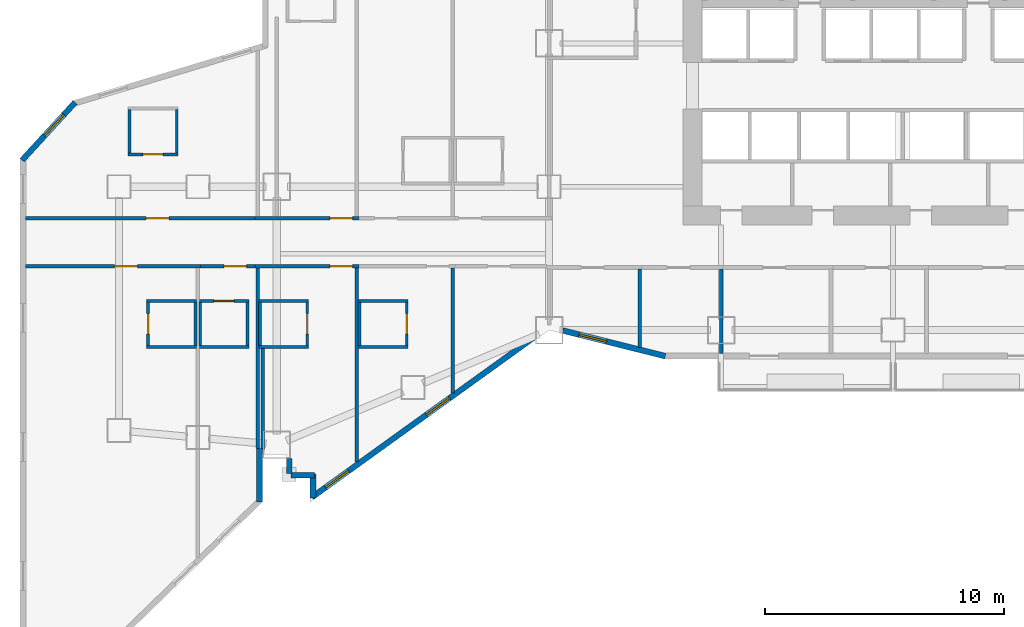
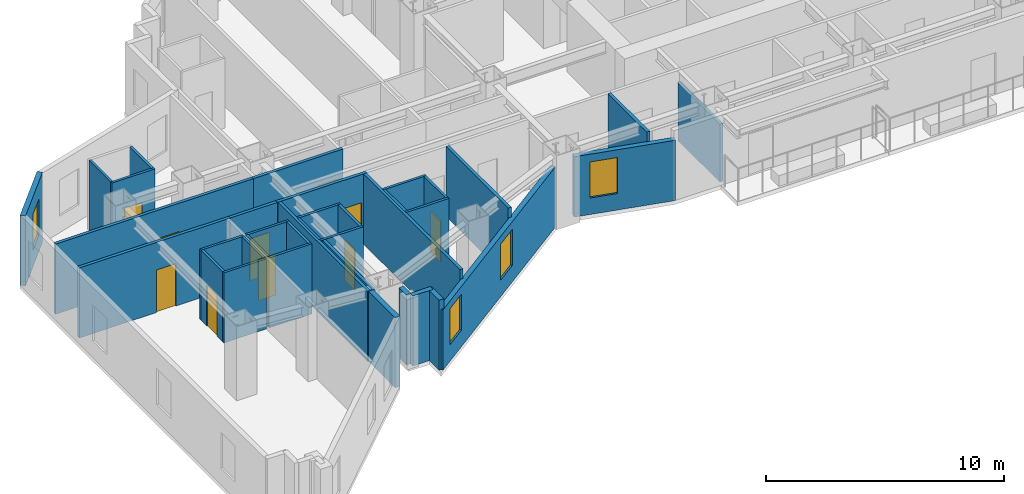
# One storey, part 6 of 18: 37 walls, 10 doors, 4 windows, 14 openings.
"""IFC4 building model written with IfcOpenShell, lengths in metres."""

from ifc_helpers import new_model, si_unit, direction, frame, frame_2d, origin, place, context, subcontext, project, spatial, rectangle, extrude, material, layer, layer_set, type_object, element, fill, save


model = new_model("IFC4")

# Units and contexts
model_context = context("Model", 3, precision=1e-05, world=origin(), true_north=direction((0.0, 1.0)))
body_context = subcontext(model_context, "Body", "Model", "MODEL_VIEW")
ifc_project = project(units=[si_unit("LENGTHUNIT", "METRE"), si_unit("AREAUNIT", "SQUARE_METRE"), si_unit("VOLUMEUNIT", "CUBIC_METRE"), si_unit("PLANEANGLEUNIT", "RADIAN"), si_unit("MASSUNIT", "GRAM", prefix="KILO")], contexts=[model_context])

# Site, building, storey
site_placement = place(None, origin())
site = spatial("IfcSite", under=ifc_project, at=site_placement, CompositionType="ELEMENT")
building_placement = place(site_placement, origin())
building = spatial("IfcBuilding", under=site, at=building_placement, Name="Haolan Belvedere Tower", CompositionType="ELEMENT")
storey_placement = place(building_placement, frame((0.0, 0.0, 51.39990234375)))
storey = spatial("IfcBuildingStorey", under=building, at=storey_placement, Name="L12", CompositionType="ELEMENT", Elevation=51.39990234375)

# Walls
ifc_material_1 = material(Name="Precast concrete C40/50", Category="concrete")
ifc_layer_1 = layer(ifc_material_1, 0.239990234375, Name="Precast concrete C40/50")
ifc_layer_set_1 = layer_set([ifc_layer_1], Name="Precast concrete C40/50")
wall_type_1 = type_object("IfcWallType", Name="WL-EXT-240", PredefinedType="SOLIDWALL", material=ifc_layer_set_1)
wall_1_placement = place(storey_placement, frame((11.8798828125, 14.395751953125, 0.0), z_axis=(0.0, 0.0, 1.0), x_axis=(0.0, 1.0, 0.0)))
element("IfcWall", 1, at=wall_1_placement, inside=storey, type_object=wall_type_1, Name="L12 pale-metal exterior spandrel wall 6.1", PredefinedType="SOLIDWALL", context=body_context, shape_type="SweptSolid", body=[
    extrude(rectangle(XDim=2.244140625, YDim=0.239990234375, at=frame_2d((1.1220703125, 0.0))), origin(), (0.0, 0.0, 1.0), 3.60009765625),
])
wall_2_placement = place(storey_placement, frame((13.1201171875, 16.23291015625, 0.0), z_axis=(0.0, 0.0, 1.0), x_axis=(0.0, -1.0, 0.0)))
element("IfcWall", 2, at=wall_2_placement, inside=storey, type_object=wall_type_1, Name="L12 pale-metal exterior spandrel wall 8.1", PredefinedType="SOLIDWALL", context=body_context, shape_type="SweptSolid", body=[
    extrude(rectangle(XDim=0.6279296875, YDim=0.239990234375, at=frame_2d((0.31396484375, 0.0))), origin(), (0.0, 0.0, 1.0), 3.60009765625),
])
wall_3_placement = place(storey_placement, frame((13.205078125, 15.52001953125, 0.0), z_axis=(0.0, 0.0, 1.0), x_axis=(1.0, 0.0, 0.0)))
element("IfcWall", 3, at=wall_3_placement, inside=storey, type_object=wall_type_1, Name="L12 pale-metal exterior spandrel wall 9.1", PredefinedType="SOLIDWALL", context=body_context, shape_type="SweptSolid", body=[
    extrude(rectangle(XDim=0.969970703125, YDim=0.239990234375, at=frame_2d((0.48486328125, 0.0))), origin(), (0.0, 0.0, 1.0), 3.60009765625),
])
wall_4_placement = place(storey_placement, frame((14.1201171875, 15.574951171875, 0.0), z_axis=(0.0, 0.0, 1.0), x_axis=(0.0, -1.0, 0.0)))
element("IfcWall", 4, at=wall_4_placement, inside=storey, type_object=wall_type_1, Name="L12 pale-metal exterior spandrel wall 10.1", PredefinedType="SOLIDWALL", context=body_context, shape_type="SweptSolid", body=[
    extrude(rectangle(XDim=0.99560546875, YDim=0.239990234375, at=frame_2d((0.497802734375, 0.0))), origin(), (0.0, 0.0, 1.0), 3.60009765625),
])

# Wall, openings, windows
wall_5_placement = place(storey_placement, frame((14.075439453125, 14.602294921875, 0.0), z_axis=(0.0, 0.0, 1.0), x_axis=(0.811543176492, 0.58429245476, 0.0)))
wall_5 = element("IfcWall", 5, at=wall_5_placement, inside=storey, type_object=wall_type_1, Name="L12 pale-metal exterior spandrel wall 11.1", PredefinedType="SOLIDWALL", context=body_context, shape_type="SweptSolid", body=[
    extrude(rectangle(XDim=11.53076171875, YDim=0.239990234375, at=frame_2d((5.765380859375, 0.0))), origin(), (0.0, 0.0, 1.0), 3.09716796875),
])
opening_1_placement = place(wall_5_placement, frame((0.699951171875, 0.0, 0.85009765625)))
opening_1 = element("IfcOpeningElement", 6, at=opening_1_placement, cuts=wall_5, Name="Opening W-01", PredefinedType="OPENING", context=body_context, shape_type="SweptSolid", body=[
    extrude(rectangle(XDim=1.199951171875, YDim=1.85009765625, at=frame_2d((0.60009765625, 0.925048828125))), frame((0.0, 0.1298828125, 0.0), z_axis=(0.0, -1.0, 0.0), x_axis=(1.0, 0.0, 0.0)), (0.0, 0.0, 1.0), 0.260009765625),
])
opening_2_placement = place(wall_5_placement, frame((5.904052734375, 0.0, 0.85009765625)))
opening_2 = element("IfcOpeningElement", 7, at=opening_2_placement, cuts=wall_5, Name="Opening W-01", PredefinedType="OPENING", context=body_context, shape_type="SweptSolid", body=[
    extrude(rectangle(XDim=1.199951171875, YDim=1.85009765625, at=frame_2d((0.60009765625, 0.925048828125))), frame((0.0, 0.1298828125, 0.0), z_axis=(0.0, -1.0, 0.0), x_axis=(1.0, 0.0, 0.0)), (0.0, 0.0, 1.0), 0.260009765625),
])
ifc_material_2 = material(Name="Anodised aluminium 6063-T6 and Low-E glass", Category="aluminium")
window_type = type_object("IfcWindowType", Name="WN-DECO-Z1", PartitioningType="SINGLE_PANEL", PredefinedType="WINDOW", material=ifc_material_2)
window_1_placement = place(opening_1_placement, origin())
window_1 = element("IfcWindow", 8, at=window_1_placement, inside=storey, type_object=window_type, Name="L12 Art Deco chevron window 1", OverallHeight=1.85009765625, OverallWidth=1.199951171875, PartitioningType="SINGLE_PANEL", PredefinedType="WINDOW", context=body_context, shape_type="SweptSolid", body=[
    extrude(rectangle(XDim=1.199951171875, YDim=1.85009765625, at=frame_2d((0.60009765625, 0.925048828125))), frame((0.0, 0.030029296875, 0.0), z_axis=(0.0, -1.0, 0.0), x_axis=(1.0, 0.0, 0.0)), (0.0, 0.0, 1.0), 0.06005859375),
])
fill(opening_1, window_1)
window_2_placement = place(opening_2_placement, origin())
window_2 = element("IfcWindow", 9, at=window_2_placement, inside=storey, type_object=window_type, Name="L12 Art Deco chevron window 2", OverallHeight=1.85009765625, OverallWidth=1.199951171875, PartitioningType="SINGLE_PANEL", PredefinedType="WINDOW", context=body_context, shape_type="SweptSolid", body=[
    extrude(rectangle(XDim=1.199951171875, YDim=1.85009765625, at=frame_2d((0.60009765625, 0.925048828125))), frame((0.0, 0.030029296875, 0.0), z_axis=(0.0, -1.0, 0.0), x_axis=(1.0, 0.0, 0.0)), (0.0, 0.0, 1.0), 0.06005859375),
])
fill(opening_2, window_2)

# Wall, opening, window
wall_6_placement = place(storey_placement, frame((24.56689453125, 21.581787109375, 0.0), z_axis=(0.0, 0.0, 1.0), x_axis=(0.970148978127, -0.24250971164, 0.0)))
wall_6 = element("IfcWall", 10, at=wall_6_placement, inside=storey, type_object=wall_type_1, Name="L12 pale-metal exterior spandrel wall 12.1", PredefinedType="SOLIDWALL", context=body_context, shape_type="SweptSolid", body=[
    extrude(rectangle(XDim=4.43359375, YDim=0.239990234375, at=frame_2d((2.216796875, 0.0))), origin(), (0.0, 0.0, 1.0), 3.09716796875),
])
opening_3_placement = place(wall_6_placement, frame((0.699951171875, 0.0, 0.85009765625)))
opening_3 = element("IfcOpeningElement", 11, at=opening_3_placement, cuts=wall_6, Name="Opening W-01", PredefinedType="OPENING", context=body_context, shape_type="SweptSolid", body=[
    extrude(rectangle(XDim=1.199951171875, YDim=1.85009765625, at=frame_2d((0.60009765625, 0.925048828125))), frame((0.0, 0.1298828125, 0.0), z_axis=(0.0, -1.0, 0.0), x_axis=(1.0, 0.0, 0.0)), (0.0, 0.0, 1.0), 0.260009765625),
])
window_3_placement = place(opening_3_placement, origin())
window_3 = element("IfcWindow", 12, at=window_3_placement, inside=storey, type_object=window_type, Name="L12 Art Deco chevron window 1", OverallHeight=1.85009765625, OverallWidth=1.199951171875, PartitioningType="SINGLE_PANEL", PredefinedType="WINDOW", context=body_context, shape_type="SweptSolid", body=[
    extrude(rectangle(XDim=1.199951171875, YDim=1.85009765625, at=frame_2d((0.60009765625, 0.925048828125))), frame((0.0, 0.030029296875, 0.0), z_axis=(0.0, -1.0, 0.0), x_axis=(1.0, 0.0, 0.0)), (0.0, 0.0, 1.0), 0.06005859375),
])
fill(opening_3, window_3)

wall_7_placement = place(storey_placement, frame((4.163330078125, 31.13525390625, 0.0), z_axis=(0.0, 0.0, 1.0), x_axis=(-0.675717899837, -0.737160308101, 0.0)))
wall_7 = element("IfcWall", 13, at=wall_7_placement, inside=storey, type_object=wall_type_1, Name="L12 pale-metal exterior spandrel wall 58.1", PredefinedType="SOLIDWALL", context=body_context, shape_type="SweptSolid", body=[
    extrude(rectangle(XDim=3.2861328125, YDim=0.239990234375, at=frame_2d((1.64306640625, 0.0))), origin(), (0.0, 0.0, 1.0), 3.60009765625),
])
opening_4_placement = place(wall_7_placement, frame((0.699951171875, 0.0, 0.85009765625)))
opening_4 = element("IfcOpeningElement", 14, at=opening_4_placement, cuts=wall_7, Name="Opening W-01", PredefinedType="OPENING", context=body_context, shape_type="SweptSolid", body=[
    extrude(rectangle(XDim=1.199951171875, YDim=1.85009765625, at=frame_2d((0.60009765625, 0.925048828125))), frame((0.0, 0.1298828125, 0.0), z_axis=(0.0, -1.0, 0.0), x_axis=(1.0, 0.0, 0.0)), (0.0, 0.0, 1.0), 0.260009765625),
])
window_4_placement = place(opening_4_placement, origin())
window_4 = element("IfcWindow", 15, at=window_4_placement, inside=storey, type_object=window_type, Name="L12 Art Deco chevron window 1", OverallHeight=1.85009765625, OverallWidth=1.199951171875, PartitioningType="SINGLE_PANEL", PredefinedType="WINDOW", context=body_context, shape_type="SweptSolid", body=[
    extrude(rectangle(XDim=1.199951171875, YDim=1.85009765625, at=frame_2d((0.60009765625, 0.925048828125))), frame((0.0, 0.030029296875, 0.0), z_axis=(0.0, -1.0, 0.0), x_axis=(1.0, 0.0, 0.0)), (0.0, 0.0, 1.0), 0.06005859375),
])
fill(opening_4, window_4)

# Walls
ifc_material_3 = material(Name="Double gypsum acoustic stud partition", Category="masonry")
ifc_layer_2 = layer(ifc_material_3, 0.14990234375, Name="Double gypsum acoustic stud partition")
ifc_layer_set_2 = layer_set([ifc_layer_2], Name="Double gypsum acoustic stud partition")
wall_type_2 = type_object("IfcWallType", Name="WL-PART-150", PredefinedType="PARTITIONING", material=ifc_layer_set_2)
wall_8_placement = place(storey_placement, frame((27.800048828125, 20.882080078125, 0.0), z_axis=(0.0, 0.0, 1.0), x_axis=(0.0, 1.0, 0.0)))
element("IfcWall", 16, at=wall_8_placement, inside=storey, type_object=wall_type_2, Name="L12 interior partition IW-L12-KS1-E", PredefinedType="PARTITIONING", context=body_context, shape_type="SweptSolid", body=[
    extrude(rectangle(XDim=3.27783203125, YDim=0.14990234375, at=frame_2d((1.638916015625, 0.0))), origin(), (0.0, 0.0, 1.0), 3.60009765625),
])
wall_9_placement = place(storey_placement, frame((31.199951171875, 20.625, 0.0), z_axis=(0.0, 0.0, 1.0), x_axis=(0.0, 1.0, 0.0)))
element("IfcWall", 17, at=wall_9_placement, inside=storey, type_object=wall_type_2, Name="L12 interior partition IW-L12-KS2-E", PredefinedType="PARTITIONING", context=body_context, shape_type="SweptSolid", body=[
    extrude(rectangle(XDim=3.534912109375, YDim=0.14990234375, at=frame_2d((1.767578125, 0.0))), origin(), (0.0, 0.0, 1.0), 2.985107421875),
])

# Wall, opening, door
wall_10_placement = place(storey_placement, frame((11.699951171875, 26.280029296875, 0.0), z_axis=(0.0, 0.0, 1.0), x_axis=(1.0, 0.0, 0.0)))
wall_10 = element("IfcWall", 18, at=wall_10_placement, inside=storey, type_object=wall_type_2, Name="L12 interior partition IW-L12-T2N1-S", PredefinedType="PARTITIONING", context=body_context, shape_type="SweptSolid", body=[
    extrude(rectangle(XDim=4.35009765625, YDim=0.14990234375, at=frame_2d((2.175048828125, 0.0))), origin(), (0.0, 0.0, 1.0), 3.60009765625),
])
opening_5_placement = place(wall_10_placement, frame((3.1298828125, 0.0, 0.0)))
opening_5 = element("IfcOpeningElement", 19, at=opening_5_placement, cuts=wall_10, Name="Opening ID-02", PredefinedType="OPENING", context=body_context, shape_type="SweptSolid", body=[
    extrude(rectangle(XDim=0.949951171875, YDim=2.14990234375, at=frame_2d((0.47509765625, 1.074951171875))), frame((0.0, 0.0849609375, 0.0), z_axis=(0.0, -1.0, 0.0), x_axis=(1.0, 0.0, 0.0)), (0.0, 0.0, 1.0), 0.169921875),
])
ifc_material_4 = material(Name="Acoustic oak veneer fire-rated timber", Category="wood")
door_type_1 = type_object("IfcDoorType", Name="DR-GUEST-950", OperationType="NOTDEFINED", PredefinedType="DOOR", material=ifc_material_4)
door_1_placement = place(opening_5_placement, origin())
door_1 = element("IfcDoor", 20, at=door_1_placement, inside=storey, type_object=door_type_1, Name="L12 door ID-L12-T2N1-ENT", OperationType="SINGLE_SWING_LEFT", OverallHeight=2.14990234375, OverallWidth=0.949951171875, PredefinedType="DOOR", context=body_context, shape_type="SweptSolid", body=[
    extrude(rectangle(XDim=0.949951171875, YDim=2.14990234375, at=frame_2d((0.47509765625, 1.074951171875))), frame((0.0, 0.02490234375, 0.0), z_axis=(0.0, -1.0, 0.0), x_axis=(1.0, 0.0, 0.0)), (0.0, 0.0, 1.0), 0.050048828125),
])
fill(opening_5, door_1)

wall_11_placement = place(storey_placement, frame((11.699951171875, 24.27001953125, 0.0), z_axis=(0.0, 0.0, 1.0), x_axis=(1.0, 0.0, 0.0)))
wall_11 = element("IfcWall", 21, at=wall_11_placement, inside=storey, type_object=wall_type_2, Name="L12 interior partition IW-L12-T2S1-N", PredefinedType="PARTITIONING", context=body_context, shape_type="SweptSolid", body=[
    extrude(rectangle(XDim=4.35009765625, YDim=0.14990234375, at=frame_2d((2.175048828125, 0.0))), origin(), (0.0, 0.0, 1.0), 3.60009765625),
])
opening_6_placement = place(wall_11_placement, frame((4.079833984375, 0.0, 0.0), z_axis=(0.0, 0.0, 1.0), x_axis=(-1.0, 0.0, 0.0)))
opening_6 = element("IfcOpeningElement", 22, at=opening_6_placement, cuts=wall_11, Name="Opening ID-02", PredefinedType="OPENING", context=body_context, shape_type="SweptSolid", body=[
    extrude(rectangle(XDim=0.949951171875, YDim=2.14990234375, at=frame_2d((0.47509765625, 1.074951171875))), frame((0.0, 0.0849609375, 0.0), z_axis=(0.0, -1.0, 0.0), x_axis=(1.0, 0.0, 0.0)), (0.0, 0.0, 1.0), 0.169921875),
])
door_2_placement = place(opening_6_placement, origin())
door_2 = element("IfcDoor", 23, at=door_2_placement, inside=storey, type_object=door_type_1, Name="L12 door ID-L12-T2S1-ENT", OperationType="SINGLE_SWING_RIGHT", OverallHeight=2.14990234375, OverallWidth=0.949951171875, PredefinedType="DOOR", context=body_context, shape_type="SweptSolid", body=[
    extrude(rectangle(XDim=0.949951171875, YDim=2.14990234375, at=frame_2d((0.47509765625, 1.074951171875))), frame((0.0, 0.02490234375, 0.0), z_axis=(0.0, -1.0, 0.0), x_axis=(1.0, 0.0, 0.0)), (0.0, 0.0, 1.0), 0.050048828125),
])
fill(opening_6, door_2)

# Walls
wall_12_placement = place(storey_placement, frame((11.800048828125, 16.64208984375, 0.0), z_axis=(0.0, 0.0, 1.0), x_axis=(0.0, 1.0, 0.0)))
element("IfcWall", 24, at=wall_12_placement, inside=storey, type_object=wall_type_2, Name="L12 interior partition IW-L12-T2S1-W", PredefinedType="PARTITIONING", context=body_context, shape_type="SweptSolid", body=[
    extrude(rectangle(XDim=7.56787109375, YDim=0.14990234375, at=frame_2d((3.783935546875, 0.0))), origin(), (0.0, 0.0, 1.0), 3.60009765625),
])
wall_13_placement = place(storey_placement, frame((15.949951171875, 16.081298828125, 0.0), z_axis=(0.0, 0.0, 1.0), x_axis=(0.0, 1.0, 0.0)))
element("IfcWall", 25, at=wall_13_placement, inside=storey, type_object=wall_type_2, Name="L12 interior partition IW-L12-T2S1-E", PredefinedType="PARTITIONING", context=body_context, shape_type="SweptSolid", body=[
    extrude(rectangle(XDim=8.128662109375, YDim=0.14990234375, at=frame_2d((4.064453125, 0.0))), origin(), (0.0, 0.0, 1.0), 3.60009765625),
])
wall_14_placement = place(storey_placement, frame((19.969970703125, 18.9755859375, 0.0), z_axis=(0.0, 0.0, 1.0), x_axis=(0.0, 1.0, 0.0)))
element("IfcWall", 26, at=wall_14_placement, inside=storey, type_object=wall_type_2, Name="L12 interior partition IW-L12-T2S2-E", PredefinedType="PARTITIONING", context=body_context, shape_type="SweptSolid", body=[
    extrude(rectangle(XDim=5.234375, YDim=0.14990234375, at=frame_2d((2.6171875, 0.0))), origin(), (0.0, 0.0, 1.0), 3.60009765625),
])

# Wall, opening, door
wall_15_placement = place(storey_placement, frame((2.0849609375, 24.27001953125, 0.0), z_axis=(0.0, 0.0, 1.0), x_axis=(1.0, 0.0, 0.0)))
wall_15 = element("IfcWall", 27, at=wall_15_placement, inside=storey, type_object=wall_type_2, Name="L12 interior partition IW-L12-T1S1-N", PredefinedType="PARTITIONING", context=body_context, shape_type="SweptSolid", body=[
    extrude(rectangle(XDim=7.31494140625, YDim=0.14990234375, at=frame_2d((3.657470703125, 0.0))), origin(), (0.0, 0.0, 1.0), 3.60009765625),
])
opening_7_placement = place(wall_15_placement, frame((4.68359375, 0.0, 0.0), z_axis=(0.0, 0.0, 1.0), x_axis=(-1.0, 0.0, 0.0)))
opening_7 = element("IfcOpeningElement", 28, at=opening_7_placement, cuts=wall_15, Name="Opening ID-01", PredefinedType="OPENING", context=body_context, shape_type="SweptSolid", body=[
    extrude(rectangle(XDim=0.949951171875, YDim=2.179931640625, at=frame_2d((0.47509765625, 1.08984375))), frame((0.0, 0.0849609375, 0.0), z_axis=(0.0, -1.0, 0.0), x_axis=(1.0, 0.0, 0.0)), (0.0, 0.0, 1.0), 0.169921875),
])
ifc_material_5 = material(Name="Acoustic walnut veneer fire-rated timber", Category="wood")
door_type_2 = type_object("IfcDoorType", Name="DR-SUITE-950", OperationType="NOTDEFINED", PredefinedType="DOOR", material=ifc_material_5)
door_3_placement = place(opening_7_placement, origin())
door_3 = element("IfcDoor", 29, at=door_3_placement, inside=storey, type_object=door_type_2, Name="L12 door ID-L12-T1S1-ENT", OperationType="SINGLE_SWING_LEFT", OverallHeight=2.179931640625, OverallWidth=0.949951171875, PredefinedType="DOOR", context=body_context, shape_type="SweptSolid", body=[
    extrude(rectangle(XDim=0.949951171875, YDim=2.179931640625, at=frame_2d((0.47509765625, 1.08984375))), frame((0.0, 0.02490234375, 0.0), z_axis=(0.0, -1.0, 0.0), x_axis=(1.0, 0.0, 0.0)), (0.0, 0.0, 1.0), 0.050048828125),
])
fill(opening_7, door_3)

wall_16_placement = place(storey_placement, frame((9.402099609375, 24.27001953125, 0.0), z_axis=(0.0, 0.0, 1.0), x_axis=(1.0, 0.0, 0.0)))
wall_16 = element("IfcWall", 30, at=wall_16_placement, inside=storey, type_object=wall_type_2, Name="L12 interior partition IW-L12-T1S2-N", PredefinedType="PARTITIONING", context=body_context, shape_type="SweptSolid", body=[
    extrude(rectangle(XDim=2.2958984375, YDim=0.14990234375, at=frame_2d((1.14794921875, 0.0))), origin(), (0.0, 0.0, 1.0), 3.60009765625),
])
opening_8_placement = place(wall_16_placement, frame((1.93408203125, 0.0, 0.0), z_axis=(0.0, 0.0, 1.0), x_axis=(-1.0, 0.0, 0.0)))
opening_8 = element("IfcOpeningElement", 31, at=opening_8_placement, cuts=wall_16, Name="Opening ID-02", PredefinedType="OPENING", context=body_context, shape_type="SweptSolid", body=[
    extrude(rectangle(XDim=0.949951171875, YDim=2.14990234375, at=frame_2d((0.47509765625, 1.074951171875))), frame((0.0, 0.0849609375, 0.0), z_axis=(0.0, -1.0, 0.0), x_axis=(1.0, 0.0, 0.0)), (0.0, 0.0, 1.0), 0.169921875),
])
door_4_placement = place(opening_8_placement, origin())
door_4 = element("IfcDoor", 32, at=door_4_placement, inside=storey, type_object=door_type_1, Name="L12 door ID-L12-T1S2-ENT", OperationType="SINGLE_SWING_RIGHT", OverallHeight=2.14990234375, OverallWidth=0.949951171875, PredefinedType="DOOR", context=body_context, shape_type="SweptSolid", body=[
    extrude(rectangle(XDim=0.949951171875, YDim=2.14990234375, at=frame_2d((0.47509765625, 1.074951171875))), frame((0.0, 0.02490234375, 0.0), z_axis=(0.0, -1.0, 0.0), x_axis=(1.0, 0.0, 0.0)), (0.0, 0.0, 1.0), 0.050048828125),
])
fill(opening_8, door_4)

# Wall
wall_17_placement = place(storey_placement, frame((12.02001953125, 16.612060546875, 0.0), z_axis=(0.0, 0.0, 1.0), x_axis=(0.0, 1.0, 0.0)))
element("IfcWall", 33, at=wall_17_placement, inside=storey, type_object=wall_type_2, Name="L12 interior partition IW-L12-T1S2-E", PredefinedType="PARTITIONING", context=body_context, shape_type="SweptSolid", body=[
    extrude(rectangle(XDim=4.242919921875, YDim=0.14990234375, at=frame_2d((2.12158203125, 0.0))), origin(), (0.0, 0.0, 1.0), 3.60009765625),
])

# Wall, opening, door
wall_18_placement = place(storey_placement, frame((2.0849609375, 26.280029296875, 0.0), z_axis=(0.0, 0.0, 1.0), x_axis=(1.0, 0.0, 0.0)))
wall_18 = element("IfcWall", 34, at=wall_18_placement, inside=storey, type_object=wall_type_2, Name="L12 interior partition IW-L12-T1N1-S", PredefinedType="PARTITIONING", context=body_context, shape_type="SweptSolid", body=[
    extrude(rectangle(XDim=9.613037109375, YDim=0.14990234375, at=frame_2d((4.806640625, 0.0))), origin(), (0.0, 0.0, 1.0), 3.60009765625),
])
opening_9_placement = place(wall_18_placement, frame((5.0478515625, 0.0, 0.0)))
opening_9 = element("IfcOpeningElement", 35, at=opening_9_placement, cuts=wall_18, Name="Opening ID-02", PredefinedType="OPENING", context=body_context, shape_type="SweptSolid", body=[
    extrude(rectangle(XDim=0.949951171875, YDim=2.14990234375, at=frame_2d((0.47509765625, 1.074951171875))), frame((0.0, 0.0849609375, 0.0), z_axis=(0.0, -1.0, 0.0), x_axis=(1.0, 0.0, 0.0)), (0.0, 0.0, 1.0), 0.169921875),
])
door_5_placement = place(opening_9_placement, origin())
door_5 = element("IfcDoor", 36, at=door_5_placement, inside=storey, type_object=door_type_1, Name="L12 door ID-L12-T1N1-ENT", OperationType="SINGLE_SWING_LEFT", OverallHeight=2.14990234375, OverallWidth=0.949951171875, PredefinedType="DOOR", context=body_context, shape_type="SweptSolid", body=[
    extrude(rectangle(XDim=0.949951171875, YDim=2.14990234375, at=frame_2d((0.47509765625, 1.074951171875))), frame((0.0, 0.02490234375, 0.0), z_axis=(0.0, -1.0, 0.0), x_axis=(1.0, 0.0, 0.0)), (0.0, 0.0, 1.0), 0.050048828125),
])
fill(opening_9, door_5)

# Walls
ifc_material_6 = material(Name="Moisture-resistant gypsum tile partition", Category="masonry")
ifc_layer_3 = layer(ifc_material_6, 0.1201171875, Name="Moisture-resistant gypsum tile partition")
ifc_layer_set_3 = layer_set([ifc_layer_3], Name="Moisture-resistant gypsum tile partition")
wall_type_3 = type_object("IfcWallType", Name="WL-WET-120", PredefinedType="PARTITIONING", material=ifc_layer_set_3)
for number, where, z_axis, x_axis, name in (
    (37, (11.860107421875, 22.820068359375, 0.0), (0.0, 0.0, 1.0), (1.0, 0.0, 0.0), "L12 interior partition IW-L12-T2S1-BN"),
    (38, (11.860107421875, 20.89990234375, 0.0), (0.0, 0.0, 1.0), (1.0, 0.0, 0.0), "L12 interior partition IW-L12-T2S1-BS"),
):
    element("IfcWall", number, at=place(storey_placement, frame(where, z_axis=z_axis, x_axis=x_axis)), inside=storey, type_object=wall_type_3, Name=name, PredefinedType="PARTITIONING", context=body_context, shape_type="SweptSolid", body=[
        extrude(rectangle(XDim=2.079833984375, YDim=0.1201171875, at=frame_2d((1.0400390625, 0.0))), origin(), (0.0, 0.0, 1.0), 3.60009765625),
    ])
wall_19_placement = place(storey_placement, frame((11.89990234375, 20.945068359375, 0.0), z_axis=(0.0, 0.0, 1.0), x_axis=(0.0, 1.0, 0.0)))
element("IfcWall", 39, at=wall_19_placement, inside=storey, type_object=wall_type_3, Name="L12 interior partition IW-L12-T2S1-BW", PredefinedType="PARTITIONING", context=body_context, shape_type="SweptSolid", body=[
    extrude(rectangle(XDim=1.829833984375, YDim=0.1201171875, at=frame_2d((0.9150390625, 0.0))), origin(), (0.0, 0.0, 1.0), 3.60009765625),
])

# Wall, opening, door
wall_20_placement = place(storey_placement, frame((13.8798828125, 20.945068359375, 0.0), z_axis=(0.0, 0.0, 1.0), x_axis=(0.0, 1.0, 0.0)))
wall_20 = element("IfcWall", 40, at=wall_20_placement, inside=storey, type_object=wall_type_3, Name="L12 interior partition IW-L12-T2S1-BE", PredefinedType="PARTITIONING", context=body_context, shape_type="SweptSolid", body=[
    extrude(rectangle(XDim=1.829833984375, YDim=0.1201171875, at=frame_2d((0.9150390625, 0.0))), origin(), (0.0, 0.0, 1.0), 3.60009765625),
])
opening_10_placement = place(wall_20_placement, frame((0.489990234375, 0.0, 0.0)))
opening_10 = element("IfcOpeningElement", 41, at=opening_10_placement, cuts=wall_20, Name="Opening ID-05", PredefinedType="OPENING", context=body_context, shape_type="SweptSolid", body=[
    extrude(rectangle(XDim=0.85009765625, YDim=2.10009765625, at=frame_2d((0.425048828125, 1.050048828125))), frame((0.0, 0.070068359375, 0.0), z_axis=(0.0, -1.0, 0.0), x_axis=(1.0, 0.0, 0.0)), (0.0, 0.0, 1.0), 0.14013671875),
])
ifc_material_7 = material(Name="Moisture-resistant lacquered timber", Category="wood")
door_type_3 = type_object("IfcDoorType", Name="DR-BATH-850", OperationType="NOTDEFINED", PredefinedType="DOOR", material=ifc_material_7)
door_6_placement = place(opening_10_placement, origin())
door_6 = element("IfcDoor", 42, at=door_6_placement, inside=storey, type_object=door_type_3, Name="L12 door ID-L12-T2S1-BATH", OperationType="SINGLE_SWING_LEFT", OverallHeight=2.10009765625, OverallWidth=0.85009765625, PredefinedType="DOOR", context=body_context, shape_type="SweptSolid", body=[
    extrude(rectangle(XDim=0.85009765625, YDim=2.10009765625, at=frame_2d((0.425048828125, 1.050048828125))), frame((0.0, 0.02490234375, 0.0), z_axis=(0.0, -1.0, 0.0), x_axis=(1.0, 0.0, 0.0)), (0.0, 0.0, 1.0), 0.050048828125),
])
fill(opening_10, door_6)

# Walls
for number, where, z_axis, x_axis, name in (
    (43, (16.010009765625, 22.820068359375, 0.0), (0.0, 0.0, 1.0), (1.0, 0.0, 0.0), "L12 interior partition IW-L12-T2S2-BN"),
    (44, (16.010009765625, 20.89990234375, 0.0), (0.0, 0.0, 1.0), (1.0, 0.0, 0.0), "L12 interior partition IW-L12-T2S2-BS"),
):
    element("IfcWall", number, at=place(storey_placement, frame(where, z_axis=z_axis, x_axis=x_axis)), inside=storey, type_object=wall_type_3, Name=name, PredefinedType="PARTITIONING", context=body_context, shape_type="SweptSolid", body=[
        extrude(rectangle(XDim=2.094970703125, YDim=0.1201171875, at=frame_2d((1.04736328125, 0.0))), origin(), (0.0, 0.0, 1.0), 3.60009765625),
    ])
wall_21_placement = place(storey_placement, frame((16.06494140625, 20.945068359375, 0.0), z_axis=(0.0, 0.0, 1.0), x_axis=(0.0, 1.0, 0.0)))
element("IfcWall", 45, at=wall_21_placement, inside=storey, type_object=wall_type_3, Name="L12 interior partition IW-L12-T2S2-BW", PredefinedType="PARTITIONING", context=body_context, shape_type="SweptSolid", body=[
    extrude(rectangle(XDim=1.829833984375, YDim=0.1201171875, at=frame_2d((0.9150390625, 0.0))), origin(), (0.0, 0.0, 1.0), 3.60009765625),
])

# Wall, opening, door
wall_22_placement = place(storey_placement, frame((18.044921875, 20.945068359375, 0.0), z_axis=(0.0, 0.0, 1.0), x_axis=(0.0, 1.0, 0.0)))
wall_22 = element("IfcWall", 46, at=wall_22_placement, inside=storey, type_object=wall_type_3, Name="L12 interior partition IW-L12-T2S2-BE", PredefinedType="PARTITIONING", context=body_context, shape_type="SweptSolid", body=[
    extrude(rectangle(XDim=1.829833984375, YDim=0.1201171875, at=frame_2d((0.9150390625, 0.0))), origin(), (0.0, 0.0, 1.0), 3.60009765625),
])
opening_11_placement = place(wall_22_placement, frame((0.489990234375, 0.0, 0.0)))
opening_11 = element("IfcOpeningElement", 47, at=opening_11_placement, cuts=wall_22, Name="Opening ID-05", PredefinedType="OPENING", context=body_context, shape_type="SweptSolid", body=[
    extrude(rectangle(XDim=0.85009765625, YDim=2.10009765625, at=frame_2d((0.425048828125, 1.050048828125))), frame((0.0, 0.070068359375, 0.0), z_axis=(0.0, -1.0, 0.0), x_axis=(1.0, 0.0, 0.0)), (0.0, 0.0, 1.0), 0.14013671875),
])
door_7_placement = place(opening_11_placement, origin())
door_7 = element("IfcDoor", 48, at=door_7_placement, inside=storey, type_object=door_type_3, Name="L12 door ID-L12-T2S2-BATH", OperationType="SINGLE_SWING_RIGHT", OverallHeight=2.10009765625, OverallWidth=0.85009765625, PredefinedType="DOOR", context=body_context, shape_type="SweptSolid", body=[
    extrude(rectangle(XDim=0.85009765625, YDim=2.10009765625, at=frame_2d((0.425048828125, 1.050048828125))), frame((0.0, 0.02490234375, 0.0), z_axis=(0.0, -1.0, 0.0), x_axis=(1.0, 0.0, 0.0)), (0.0, 0.0, 1.0), 0.050048828125),
])
fill(opening_11, door_7)

# Walls
for number, where, z_axis, x_axis, name in (
    (49, (7.159912109375, 22.820068359375, 0.0), (0.0, 0.0, 1.0), (1.0, 0.0, 0.0), "L12 interior partition IW-L12-T1S1-BN"),
    (50, (7.159912109375, 20.89990234375, 0.0), (0.0, 0.0, 1.0), (1.0, 0.0, 0.0), "L12 interior partition IW-L12-T1S1-BS"),
):
    element("IfcWall", number, at=place(storey_placement, frame(where, z_axis=z_axis, x_axis=x_axis)), inside=storey, type_object=wall_type_3, Name=name, PredefinedType="PARTITIONING", context=body_context, shape_type="SweptSolid", body=[
        extrude(rectangle(XDim=2.080078125, YDim=0.1201171875, at=frame_2d((1.0400390625, 0.0))), origin(), (0.0, 0.0, 1.0), 3.60009765625),
    ])

# Wall, opening, door
wall_23_placement = place(storey_placement, frame((7.219970703125, 20.945068359375, 0.0), z_axis=(0.0, 0.0, 1.0), x_axis=(0.0, 1.0, 0.0)))
wall_23 = element("IfcWall", 51, at=wall_23_placement, inside=storey, type_object=wall_type_3, Name="L12 interior partition IW-L12-T1S1-BW", PredefinedType="PARTITIONING", context=body_context, shape_type="SweptSolid", body=[
    extrude(rectangle(XDim=1.829833984375, YDim=0.1201171875, at=frame_2d((0.9150390625, 0.0))), origin(), (0.0, 0.0, 1.0), 3.60009765625),
])
opening_12_placement = place(wall_23_placement, frame((1.340087890625, 0.0, 0.0), z_axis=(0.0, 0.0, 1.0), x_axis=(-1.0, 0.0, 0.0)))
opening_12 = element("IfcOpeningElement", 52, at=opening_12_placement, cuts=wall_23, Name="Opening ID-05", PredefinedType="OPENING", context=body_context, shape_type="SweptSolid", body=[
    extrude(rectangle(XDim=0.85009765625, YDim=2.10009765625, at=frame_2d((0.425048828125, 1.050048828125))), frame((0.0, 0.070068359375, 0.0), z_axis=(0.0, -1.0, 0.0), x_axis=(1.0, 0.0, 0.0)), (0.0, 0.0, 1.0), 0.14013671875),
])
door_8_placement = place(opening_12_placement, origin())
door_8 = element("IfcDoor", 53, at=door_8_placement, inside=storey, type_object=door_type_3, Name="L12 door ID-L12-T1S1-BATH", OperationType="SINGLE_SWING_RIGHT", OverallHeight=2.10009765625, OverallWidth=0.85009765625, PredefinedType="DOOR", context=body_context, shape_type="SweptSolid", body=[
    extrude(rectangle(XDim=0.85009765625, YDim=2.10009765625, at=frame_2d((0.425048828125, 1.050048828125))), frame((0.0, 0.02490234375, 0.0), z_axis=(0.0, -1.0, 0.0), x_axis=(1.0, 0.0, 0.0)), (0.0, 0.0, 1.0), 0.050048828125),
])
fill(opening_12, door_8)

# Wall
wall_24_placement = place(storey_placement, frame((9.199951171875, 20.945068359375, 0.0), z_axis=(0.0, 0.0, 1.0), x_axis=(0.0, 1.0, 0.0)))
element("IfcWall", 54, at=wall_24_placement, inside=storey, type_object=wall_type_3, Name="L12 interior partition IW-L12-T1S1-BE", PredefinedType="PARTITIONING", context=body_context, shape_type="SweptSolid", body=[
    extrude(rectangle(XDim=1.829833984375, YDim=0.1201171875, at=frame_2d((0.9150390625, 0.0))), origin(), (0.0, 0.0, 1.0), 3.60009765625),
])

# Wall, opening, door
wall_25_placement = place(storey_placement, frame((9.360107421875, 22.820068359375, 0.0), z_axis=(0.0, 0.0, 1.0), x_axis=(1.0, 0.0, 0.0)))
wall_25 = element("IfcWall", 55, at=wall_25_placement, inside=storey, type_object=wall_type_3, Name="L12 interior partition IW-L12-T1S2-BN", PredefinedType="PARTITIONING", context=body_context, shape_type="SweptSolid", body=[
    extrude(rectangle(XDim=2.079833984375, YDim=0.1201171875, at=frame_2d((1.0400390625, 0.0))), origin(), (0.0, 0.0, 1.0), 3.60009765625),
])
opening_13_placement = place(wall_25_placement, frame((1.455078125, 0.0, 0.0), z_axis=(0.0, 0.0, 1.0), x_axis=(-1.0, 0.0, 0.0)))
opening_13 = element("IfcOpeningElement", 56, at=opening_13_placement, cuts=wall_25, Name="Opening ID-05", PredefinedType="OPENING", context=body_context, shape_type="SweptSolid", body=[
    extrude(rectangle(XDim=0.85009765625, YDim=2.10009765625, at=frame_2d((0.425048828125, 1.050048828125))), frame((0.0, 0.070068359375, 0.0), z_axis=(0.0, -1.0, 0.0), x_axis=(1.0, 0.0, 0.0)), (0.0, 0.0, 1.0), 0.14013671875),
])
door_9_placement = place(opening_13_placement, origin())
door_9 = element("IfcDoor", 57, at=door_9_placement, inside=storey, type_object=door_type_3, Name="L12 door ID-L12-T1S2-BATH", OperationType="SINGLE_SWING_LEFT", OverallHeight=2.10009765625, OverallWidth=0.85009765625, PredefinedType="DOOR", context=body_context, shape_type="SweptSolid", body=[
    extrude(rectangle(XDim=0.85009765625, YDim=2.10009765625, at=frame_2d((0.425048828125, 1.050048828125))), frame((0.0, 0.02490234375, 0.0), z_axis=(0.0, -1.0, 0.0), x_axis=(1.0, 0.0, 0.0)), (0.0, 0.0, 1.0), 0.050048828125),
])
fill(opening_13, door_9)

# Walls
wall_26_placement = place(storey_placement, frame((9.360107421875, 20.89990234375, 0.0), z_axis=(0.0, 0.0, 1.0), x_axis=(1.0, 0.0, 0.0)))
element("IfcWall", 58, at=wall_26_placement, inside=storey, type_object=wall_type_3, Name="L12 interior partition IW-L12-T1S2-BS", PredefinedType="PARTITIONING", context=body_context, shape_type="SweptSolid", body=[
    extrude(rectangle(XDim=2.079833984375, YDim=0.1201171875, at=frame_2d((1.0400390625, 0.0))), origin(), (0.0, 0.0, 1.0), 3.60009765625),
])
for number, where, z_axis, x_axis, name in (
    (59, (9.39990234375, 20.945068359375, 0.0), (0.0, 0.0, 1.0), (0.0, 1.0, 0.0), "L12 interior partition IW-L12-T1S2-BW"),
    (60, (11.3798828125, 20.945068359375, 0.0), (0.0, 0.0, 1.0), (0.0, 1.0, 0.0), "L12 interior partition IW-L12-T1S2-BE"),
):
    element("IfcWall", number, at=place(storey_placement, frame(where, z_axis=z_axis, x_axis=x_axis)), inside=storey, type_object=wall_type_3, Name=name, PredefinedType="PARTITIONING", context=body_context, shape_type="SweptSolid", body=[
        extrude(rectangle(XDim=1.829833984375, YDim=0.1201171875, at=frame_2d((0.9150390625, 0.0))), origin(), (0.0, 0.0, 1.0), 3.60009765625),
    ])

# Wall, opening, door
wall_27_placement = place(storey_placement, frame((6.373046875, 28.9580078125, 0.0), z_axis=(0.0, 0.0, 1.0), x_axis=(1.0, 0.0, 0.0)))
wall_27 = element("IfcWall", 61, at=wall_27_placement, inside=storey, type_object=wall_type_3, Name="L12 interior partition IW-L12-T1N1-BS", PredefinedType="PARTITIONING", context=body_context, shape_type="SweptSolid", body=[
    extrude(rectangle(XDim=2.099853515625, YDim=0.1201171875, at=frame_2d((1.0498046875, 0.0))), origin(), (0.0, 0.0, 1.0), 3.60009765625),
])
opening_14_placement = place(wall_27_placement, frame((0.625, 0.0, 0.0)))
opening_14 = element("IfcOpeningElement", 62, at=opening_14_placement, cuts=wall_27, Name="Opening ID-05", PredefinedType="OPENING", context=body_context, shape_type="SweptSolid", body=[
    extrude(rectangle(XDim=0.85009765625, YDim=2.10009765625, at=frame_2d((0.425048828125, 1.050048828125))), frame((0.0, 0.070068359375, 0.0), z_axis=(0.0, -1.0, 0.0), x_axis=(1.0, 0.0, 0.0)), (0.0, 0.0, 1.0), 0.14013671875),
])
door_10_placement = place(opening_14_placement, origin())
door_10 = element("IfcDoor", 63, at=door_10_placement, inside=storey, type_object=door_type_3, Name="L12 door ID-L12-T1N1-BATH", OperationType="SINGLE_SWING_RIGHT", OverallHeight=2.10009765625, OverallWidth=0.85009765625, PredefinedType="DOOR", context=body_context, shape_type="SweptSolid", body=[
    extrude(rectangle(XDim=0.85009765625, YDim=2.10009765625, at=frame_2d((0.425048828125, 1.050048828125))), frame((0.0, 0.02490234375, 0.0), z_axis=(0.0, -1.0, 0.0), x_axis=(1.0, 0.0, 0.0)), (0.0, 0.0, 1.0), 0.050048828125),
])
fill(opening_14, door_10)

# Walls
for number, where, z_axis, x_axis, name in (
    (64, (6.43310546875, 29.0029296875, 0.0), (0.0, 0.0, 1.0), (0.0, 1.0, 0.0), "L12 interior partition IW-L12-T1N1-BW"),
    (65, (8.4130859375, 29.0029296875, 0.0), (0.0, 0.0, 1.0), (0.0, 1.0, 0.0), "L12 interior partition IW-L12-T1N1-BE"),
):
    element("IfcWall", number, at=place(storey_placement, frame(where, z_axis=z_axis, x_axis=x_axis)), inside=storey, type_object=wall_type_3, Name=name, PredefinedType="PARTITIONING", context=body_context, shape_type="SweptSolid", body=[
        extrude(rectangle(XDim=1.830078125, YDim=0.1201171875, at=frame_2d((0.9150390625, 0.0))), origin(), (0.0, 0.0, 1.0), 3.60009765625),
    ])

save(model, "model.ifc")
